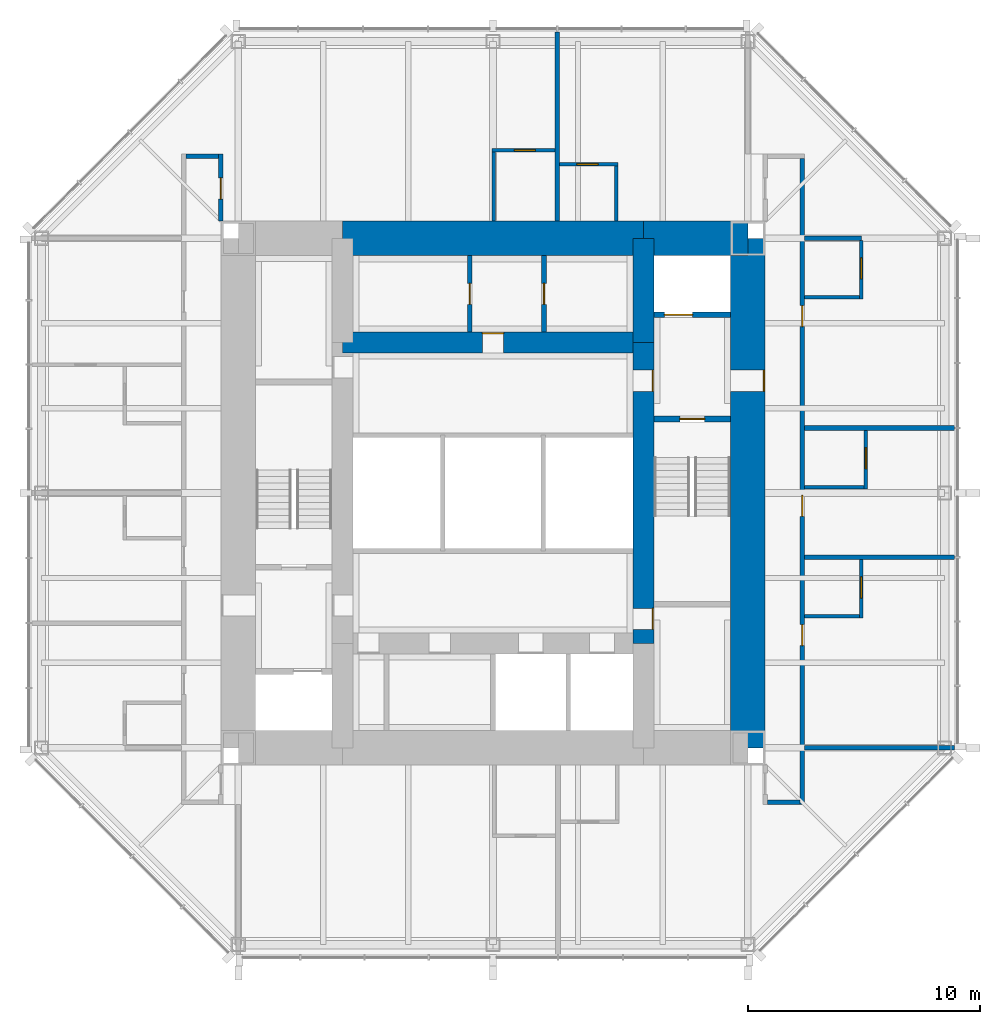
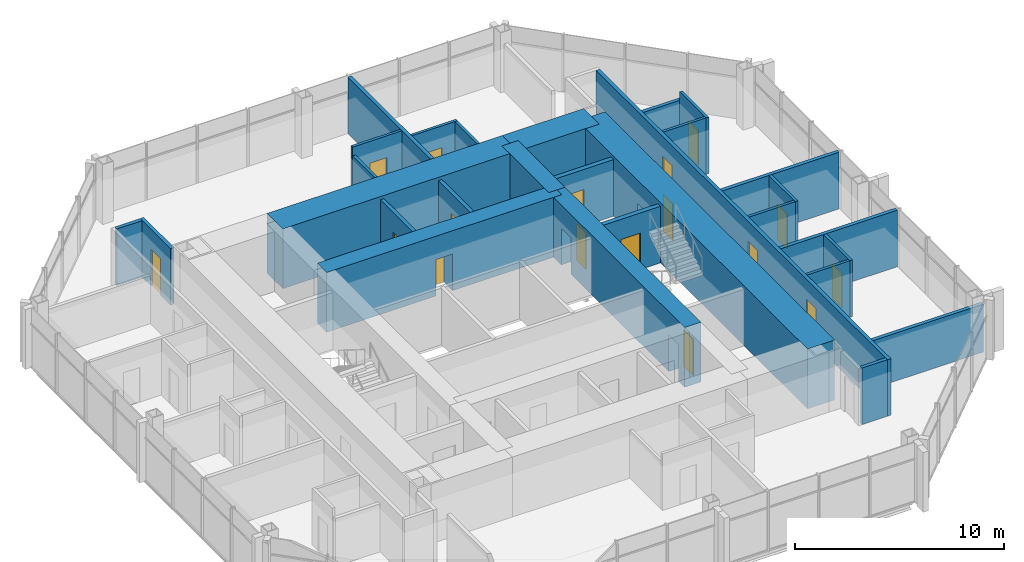
# One storey, part 9 of 11: 29 walls, 17 doors, 17 openings.
"""IFC4 building model written with IfcOpenShell, lengths in metres."""

from ifc_helpers import new_model, si_unit, direction, frame, frame_2d, origin, place, context, subcontext, project, spatial, rectangle, extrude, material, layer, layer_set, type_object, element, fill, save


model = new_model("IFC4")

# Units and contexts
model_context = context("Model", 3, precision=1e-05, world=origin(), true_north=direction((0.0, 1.0)))
body_context = subcontext(model_context, "Body", "Model", "MODEL_VIEW")
ifc_project = project(units=[si_unit("LENGTHUNIT", "METRE"), si_unit("AREAUNIT", "SQUARE_METRE"), si_unit("VOLUMEUNIT", "CUBIC_METRE"), si_unit("PLANEANGLEUNIT", "RADIAN"), si_unit("MASSUNIT", "GRAM", prefix="KILO")], contexts=[model_context])

# Site, building, storey
site_placement = place(None, origin())
site = spatial("IfcSite", under=ifc_project, at=site_placement, CompositionType="ELEMENT")
building_placement = place(site_placement, origin())
building = spatial("IfcBuilding", under=site, at=building_placement, Name="Trevanion Tower", CompositionType="ELEMENT")
storey_placement = place(building_placement, frame((0.0, 0.0, 243.199951171875)))
storey = spatial("IfcBuildingStorey", under=building, at=storey_placement, Name="L59", CompositionType="ELEMENT", Elevation=243.199951171875)

# Wall, opening, door
ifc_material_1 = material(Name="Concrete 10,000 psi", Category="concrete")
ifc_layer_1 = layer(ifc_material_1, 1.5)
ifc_layer_set_1 = layer_set([ifc_layer_1], Name="CW1 core wall 1500")
wall_type_1 = type_object("IfcWallType", Name="CW1 core wall 1500", PredefinedType="SHEAR", material=ifc_layer_set_1)
wall_1_placement = place(storey_placement, frame((11.0, -11.0, 0.0), z_axis=(0.0, 0.0, 1.0), x_axis=(0.0, 1.0, 0.0)))
wall_1 = element("IfcWall", 1, at=wall_1_placement, inside=storey, type_object=wall_type_1, Name="CW1 CE L59", PredefinedType="SHEAR", context=body_context, shape_type="SweptSolid", body=[
    extrude(rectangle(XDim=22.0, YDim=1.5, at=frame_2d((11.0, 0.0))), origin(), (0.0, 0.0, 1.0), 3.5),
])
opening_1_placement = place(wall_1_placement, frame((15.392578125, 0.0, 0.0)))
opening_1 = element("IfcOpeningElement", 2, at=opening_1_placement, cuts=wall_1, Name="Opening 59-001", PredefinedType="OPENING", context=body_context, shape_type="SweptSolid", body=[
    extrude(rectangle(XDim=0.9150390625, YDim=2.134033203125, at=frame_2d((0.45751953125, 1.06689453125))), frame((0.0, 0.760009765625, 0.0), z_axis=(0.0, -1.0, 0.0), x_axis=(1.0, 0.0, 0.0)), (0.0, 0.0, 1.0), 1.52001953125),
])
ifc_material_2 = material(Name="Hollow metal, fire rated", Category="steel")
door_type_1 = type_object("IfcDoorType", Name="D3 fire lift lobby door", OperationType="SINGLE_SWING_RIGHT", PredefinedType="DOOR", material=ifc_material_2)
door_1_placement = place(opening_1_placement, origin())
door_1 = element("IfcDoor", 3, at=door_1_placement, inside=storey, type_object=door_type_1, Name="Door 59-001", OperationType="SINGLE_SWING_RIGHT", OverallHeight=2.134033203125, OverallWidth=0.9150390625, PredefinedType="DOOR", context=body_context, shape_type="SweptSolid", body=[
    extrude(rectangle(XDim=0.9150390625, YDim=2.134033203125, at=frame_2d((0.45751953125, 1.06689453125))), frame((0.0, -0.6748046875, 0.0), z_axis=(0.0, -1.0, 0.0), x_axis=(1.0, 0.0, 0.0)), (0.0, 0.0, 1.0), 0.050048828125),
])
fill(opening_1, door_1)

# Walls
wall_2_placement = place(storey_placement, frame((11.0, 11.0, 0.0), z_axis=(0.0, 0.0, 1.0), x_axis=(-1.0, 0.0, 0.0)))
element("IfcWall", 4, at=wall_2_placement, inside=storey, type_object=wall_type_1, Name="CW1 CN1 L59", PredefinedType="SHEAR", context=body_context, shape_type="SweptSolid", body=[
    extrude(rectangle(XDim=4.5, YDim=1.5, at=frame_2d((2.25, 0.0))), origin(), (0.0, 0.0, 1.0), 3.5),
])
wall_3_placement = place(storey_placement, frame((6.5, 11.0, 0.0), z_axis=(0.0, 0.0, 1.0), x_axis=(-1.0, 0.0, 0.0)))
element("IfcWall", 5, at=wall_3_placement, inside=storey, type_object=wall_type_1, Name="CW1 CN2 L59", PredefinedType="SHEAR", context=body_context, shape_type="SweptSolid", body=[
    extrude(rectangle(XDim=13.0, YDim=1.5, at=frame_2d((6.5, 0.0))), origin(), (0.0, 0.0, 1.0), 3.5),
])

# Wall, openings, doors
ifc_material_3 = material(Name="Concrete 10,000 psi", Category="concrete")
ifc_layer_2 = layer(ifc_material_3, 0.89990234375)
ifc_layer_set_2 = layer_set([ifc_layer_2], Name="CW2 core wall 900")
wall_type_2 = type_object("IfcWallType", Name="CW2 core wall 900", PredefinedType="SHEAR", material=ifc_layer_set_2)
wall_4_placement = place(storey_placement, frame((6.5, -6.5, 0.0), z_axis=(0.0, 0.0, 1.0), x_axis=(0.0, 1.0, 0.0)))
wall_4 = element("IfcWall", 6, at=wall_4_placement, inside=storey, type_object=wall_type_2, Name="CW2 RE2 L59", PredefinedType="SHEAR", context=body_context, shape_type="SweptSolid", body=[
    extrude(rectangle(XDim=13.0, YDim=0.89990234375, at=frame_2d((6.5, 0.0))), origin(), (0.0, 0.0, 1.0), 3.5),
])
opening_2_placement = place(wall_4_placement, frame((10.892578125, 0.0, 0.0)))
opening_2 = element("IfcOpeningElement", 7, at=opening_2_placement, cuts=wall_4, Name="Opening 59-003", PredefinedType="OPENING", context=body_context, shape_type="SweptSolid", body=[
    extrude(rectangle(XDim=0.9150390625, YDim=2.134033203125, at=frame_2d((0.45751953125, 1.06689453125))), frame((0.0, 0.4599609375, 0.0), z_axis=(0.0, -1.0, 0.0), x_axis=(1.0, 0.0, 0.0)), (0.0, 0.0, 1.0), 0.919921875),
])
opening_3_placement = place(wall_4_placement, frame((0.610107421875, 0.0, 0.0)))
opening_3 = element("IfcOpeningElement", 8, at=opening_3_placement, cuts=wall_4, Name="Opening 59-009", PredefinedType="OPENING", context=body_context, shape_type="SweptSolid", body=[
    extrude(rectangle(XDim=0.9150390625, YDim=2.134033203125, at=frame_2d((0.45751953125, 1.06689453125))), frame((0.0, 0.4599609375, 0.0), z_axis=(0.0, -1.0, 0.0), x_axis=(1.0, 0.0, 0.0)), (0.0, 0.0, 1.0), 0.919921875),
])
door_2_placement = place(opening_2_placement, origin())
door_2 = element("IfcDoor", 9, at=door_2_placement, inside=storey, type_object=door_type_1, Name="Door 59-003", OperationType="SINGLE_SWING_RIGHT", OverallHeight=2.134033203125, OverallWidth=0.9150390625, PredefinedType="DOOR", context=body_context, shape_type="SweptSolid", body=[
    extrude(rectangle(XDim=0.9150390625, YDim=2.134033203125, at=frame_2d((0.45751953125, 1.06689453125))), frame((0.0, -0.375, 0.0), z_axis=(0.0, -1.0, 0.0), x_axis=(1.0, 0.0, 0.0)), (0.0, 0.0, 1.0), 0.050048828125),
])
fill(opening_2, door_2)
ifc_material_4 = material(Name="Hollow metal, fire rated", Category="steel")
door_type_2 = type_object("IfcDoorType", Name="D5 service room door", OperationType="SINGLE_SWING_RIGHT", PredefinedType="DOOR", material=ifc_material_4)
door_3_placement = place(opening_3_placement, origin())
door_3 = element("IfcDoor", 10, at=door_3_placement, inside=storey, type_object=door_type_2, Name="Door 59-009", OperationType="SINGLE_SWING_RIGHT", OverallHeight=2.134033203125, OverallWidth=0.9150390625, PredefinedType="DOOR", context=body_context, shape_type="SweptSolid", body=[
    extrude(rectangle(XDim=0.9150390625, YDim=2.134033203125, at=frame_2d((0.45751953125, 1.06689453125))), frame((0.0, -0.375, 0.0), z_axis=(0.0, -1.0, 0.0), x_axis=(1.0, 0.0, 0.0)), (0.0, 0.0, 1.0), 0.050048828125),
])
fill(opening_3, door_3)

# Wall
wall_5_placement = place(storey_placement, frame((6.5, 6.5, 0.0), z_axis=(0.0, 0.0, 1.0), x_axis=(0.0, 1.0, 0.0)))
element("IfcWall", 11, at=wall_5_placement, inside=storey, type_object=wall_type_2, Name="CW2 RE3 L59", PredefinedType="SHEAR", context=body_context, shape_type="SweptSolid", body=[
    extrude(rectangle(XDim=4.5, YDim=0.89990234375, at=frame_2d((2.25, 0.0))), origin(), (0.0, 0.0, 1.0), 3.5),
])

# Wall, opening, door
wall_6_placement = place(storey_placement, frame((6.5, 6.5, 0.0), z_axis=(0.0, 0.0, 1.0), x_axis=(-1.0, 0.0, 0.0)))
wall_6 = element("IfcWall", 12, at=wall_6_placement, inside=storey, type_object=wall_type_2, Name="CW2 RN L59", PredefinedType="SHEAR", context=body_context, shape_type="SweptSolid", body=[
    extrude(rectangle(XDim=13.0, YDim=0.89990234375, at=frame_2d((6.5, 0.0))), origin(), (0.0, 0.0, 1.0), 3.5),
])
opening_4_placement = place(wall_6_placement, frame((6.04248046875, 0.0, 0.0)))
opening_4 = element("IfcOpeningElement", 13, at=opening_4_placement, cuts=wall_6, Name="Opening 59-015", PredefinedType="OPENING", context=body_context, shape_type="SweptSolid", body=[
    extrude(rectangle(XDim=0.9150390625, YDim=2.134033203125, at=frame_2d((0.45751953125, 1.06689453125))), frame((0.0, 0.4599609375, 0.0), z_axis=(0.0, -1.0, 0.0), x_axis=(1.0, 0.0, 0.0)), (0.0, 0.0, 1.0), 0.919921875),
])
door_4_placement = place(opening_4_placement, origin())
door_4 = element("IfcDoor", 14, at=door_4_placement, inside=storey, type_object=door_type_2, Name="Door 59-015", OperationType="SINGLE_SWING_RIGHT", OverallHeight=2.134033203125, OverallWidth=0.9150390625, PredefinedType="DOOR", context=body_context, shape_type="SweptSolid", body=[
    extrude(rectangle(XDim=0.9150390625, YDim=2.134033203125, at=frame_2d((0.45751953125, 1.06689453125))), frame((0.0, -0.375, 0.0), z_axis=(0.0, -1.0, 0.0), x_axis=(1.0, 0.0, 0.0)), (0.0, 0.0, 1.0), 0.050048828125),
])
fill(opening_4, door_4)

ifc_material_5 = material(Name="Gypsum board on steel studs", Category="steel")
ifc_layer_3 = layer(ifc_material_5, 0.14990234375)
ifc_layer_set_3 = layer_set([ifc_layer_3], Name="PT1 partition 150")
wall_type_3 = type_object("IfcWallType", Name="PT1 partition 150", PredefinedType="PARTITIONING", material=ifc_layer_set_3)
wall_7_placement = place(storey_placement, frame((15.89990234375, -5.39990234375, 0.0), z_axis=(0.0, 0.0, 1.0), x_axis=(0.0, 1.0, 0.0)))
wall_7 = element("IfcWall", 15, at=wall_7_placement, inside=storey, type_object=wall_type_3, Name="PT1 L59 BA00", PredefinedType="PARTITIONING", context=body_context, shape_type="SweptSolid", body=[
    extrude(rectangle(XDim=2.52490234375, YDim=0.14990234375, at=frame_2d((1.262451171875, 0.0))), origin(), (0.0, 0.0, 1.0), 3.31005859375),
])
opening_5_placement = place(wall_7_placement, frame((0.867431640625, 0.0, 0.0)))
opening_5 = element("IfcOpeningElement", 16, at=opening_5_placement, cuts=wall_7, Name="Opening 59-018", PredefinedType="OPENING", context=body_context, shape_type="SweptSolid", body=[
    extrude(rectangle(XDim=0.9150390625, YDim=2.031982421875, at=frame_2d((0.45751953125, 1.01611328125))), frame((0.0, 0.0849609375, 0.0), z_axis=(0.0, -1.0, 0.0), x_axis=(1.0, 0.0, 0.0)), (0.0, 0.0, 1.0), 0.169921875),
])
ifc_material_6 = material(Name="Timber veneer", Category="wood")
door_type_3 = type_object("IfcDoorType", Name="D7 bathroom door", OperationType="SINGLE_SWING_LEFT", PredefinedType="DOOR", material=ifc_material_6)
door_5_placement = place(opening_5_placement, origin())
door_5 = element("IfcDoor", 17, at=door_5_placement, inside=storey, type_object=door_type_3, Name="Door 59-018", OperationType="SINGLE_SWING_LEFT", OverallHeight=2.031982421875, OverallWidth=0.9150390625, PredefinedType="DOOR", context=body_context, shape_type="SweptSolid", body=[
    extrude(rectangle(XDim=0.9150390625, YDim=2.031982421875, at=frame_2d((0.45751953125, 1.01611328125))), frame((0.0, 0.02490234375, 0.0), z_axis=(0.0, -1.0, 0.0), x_axis=(1.0, 0.0, 0.0)), (0.0, 0.0, 1.0), 0.050048828125),
])
fill(opening_5, door_5)

# Wall
wall_8_placement = place(storey_placement, frame((13.449951171875, -5.324951171875, 0.0), z_axis=(0.0, 0.0, 1.0), x_axis=(1.0, 0.0, 0.0)))
element("IfcWall", 18, at=wall_8_placement, inside=storey, type_object=wall_type_3, Name="PT1 L59 BB00", PredefinedType="PARTITIONING", context=body_context, shape_type="SweptSolid", body=[
    extrude(rectangle(XDim=2.375, YDim=0.14990234375, at=frame_2d((1.1875, 0.0))), origin(), (0.0, 0.0, 1.0), 3.31005859375),
])

# Wall, opening, door
wall_9_placement = place(storey_placement, frame((16.10009765625, 0.181884765625, 0.0), z_axis=(0.0, 0.0, 1.0), x_axis=(0.0, 1.0, 0.0)))
wall_9 = element("IfcWall", 19, at=wall_9_placement, inside=storey, type_object=wall_type_3, Name="PT1 L59 BA01", PredefinedType="PARTITIONING", context=body_context, shape_type="SweptSolid", body=[
    extrude(rectangle(XDim=2.525146484375, YDim=0.14990234375, at=frame_2d((1.2626953125, 0.0))), origin(), (0.0, 0.0, 1.0), 3.31005859375),
])
opening_6_placement = place(wall_9_placement, frame((0.867431640625, 0.0, 0.0)))
opening_6 = element("IfcOpeningElement", 20, at=opening_6_placement, cuts=wall_9, Name="Opening 59-020", PredefinedType="OPENING", context=body_context, shape_type="SweptSolid", body=[
    extrude(rectangle(XDim=0.9150390625, YDim=2.031982421875, at=frame_2d((0.45751953125, 1.01611328125))), frame((0.0, 0.0849609375, 0.0), z_axis=(0.0, -1.0, 0.0), x_axis=(1.0, 0.0, 0.0)), (0.0, 0.0, 1.0), 0.169921875),
])
door_6_placement = place(opening_6_placement, origin())
door_6 = element("IfcDoor", 21, at=door_6_placement, inside=storey, type_object=door_type_3, Name="Door 59-020", OperationType="SINGLE_SWING_LEFT", OverallHeight=2.031982421875, OverallWidth=0.9150390625, PredefinedType="DOOR", context=body_context, shape_type="SweptSolid", body=[
    extrude(rectangle(XDim=0.9150390625, YDim=2.031982421875, at=frame_2d((0.45751953125, 1.01611328125))), frame((0.0, 0.02490234375, 0.0), z_axis=(0.0, -1.0, 0.0), x_axis=(1.0, 0.0, 0.0)), (0.0, 0.0, 1.0), 0.050048828125),
])
fill(opening_6, door_6)

# Wall
wall_10_placement = place(storey_placement, frame((13.449951171875, 0.257080078125, 0.0), z_axis=(0.0, 0.0, 1.0), x_axis=(1.0, 0.0, 0.0)))
element("IfcWall", 22, at=wall_10_placement, inside=storey, type_object=wall_type_3, Name="PT1 L59 BB01", PredefinedType="PARTITIONING", context=body_context, shape_type="SweptSolid", body=[
    extrude(rectangle(XDim=2.574951171875, YDim=0.14990234375, at=frame_2d((1.28759765625, 0.0))), origin(), (0.0, 0.0, 1.0), 3.31005859375),
])

# Wall, opening, door
wall_11_placement = place(storey_placement, frame((15.89990234375, 8.375, 0.0), z_axis=(0.0, 0.0, 1.0), x_axis=(0.0, 1.0, 0.0)))
wall_11 = element("IfcWall", 23, at=wall_11_placement, inside=storey, type_object=wall_type_3, Name="PT1 L59 BA02", PredefinedType="PARTITIONING", context=body_context, shape_type="SweptSolid", body=[
    extrude(rectangle(XDim=2.52490234375, YDim=0.14990234375, at=frame_2d((1.262451171875, 0.0))), origin(), (0.0, 0.0, 1.0), 3.31005859375),
])
opening_7_placement = place(wall_11_placement, frame((0.867431640625, 0.0, 0.0)))
opening_7 = element("IfcOpeningElement", 24, at=opening_7_placement, cuts=wall_11, Name="Opening 59-022", PredefinedType="OPENING", context=body_context, shape_type="SweptSolid", body=[
    extrude(rectangle(XDim=0.9150390625, YDim=2.031982421875, at=frame_2d((0.45751953125, 1.01611328125))), frame((0.0, 0.0849609375, 0.0), z_axis=(0.0, -1.0, 0.0), x_axis=(1.0, 0.0, 0.0)), (0.0, 0.0, 1.0), 0.169921875),
])
door_7_placement = place(opening_7_placement, origin())
door_7 = element("IfcDoor", 25, at=door_7_placement, inside=storey, type_object=door_type_3, Name="Door 59-022", OperationType="SINGLE_SWING_LEFT", OverallHeight=2.031982421875, OverallWidth=0.9150390625, PredefinedType="DOOR", context=body_context, shape_type="SweptSolid", body=[
    extrude(rectangle(XDim=0.9150390625, YDim=2.031982421875, at=frame_2d((0.45751953125, 1.01611328125))), frame((0.0, 0.02490234375, 0.0), z_axis=(0.0, -1.0, 0.0), x_axis=(1.0, 0.0, 0.0)), (0.0, 0.0, 1.0), 0.050048828125),
])
fill(opening_7, door_7)

# Wall
wall_12_placement = place(storey_placement, frame((13.449951171875, 8.449951171875, 0.0), z_axis=(0.0, 0.0, 1.0), x_axis=(1.0, 0.0, 0.0)))
element("IfcWall", 26, at=wall_12_placement, inside=storey, type_object=wall_type_3, Name="PT1 L59 BB02", PredefinedType="PARTITIONING", context=body_context, shape_type="SweptSolid", body=[
    extrude(rectangle(XDim=2.375, YDim=0.14990234375, at=frame_2d((1.1875, 0.0))), origin(), (0.0, 0.0, 1.0), 3.31005859375),
])

# Wall, opening, door
wall_13_placement = place(storey_placement, frame((5.39990234375, 14.199951171875, 0.0), z_axis=(0.0, 0.0, 1.0), x_axis=(-1.0, 0.0, 0.0)))
wall_13 = element("IfcWall", 27, at=wall_13_placement, inside=storey, type_object=wall_type_3, Name="PT1 L59 BA10", PredefinedType="PARTITIONING", context=body_context, shape_type="SweptSolid", body=[
    extrude(rectangle(XDim=2.52490234375, YDim=0.14990234375, at=frame_2d((1.262451171875, 0.0))), origin(), (0.0, 0.0, 1.0), 3.31005859375),
])
opening_8_placement = place(wall_13_placement, frame((0.867431640625, 0.0, 0.0)))
opening_8 = element("IfcOpeningElement", 28, at=opening_8_placement, cuts=wall_13, Name="Opening 59-026", PredefinedType="OPENING", context=body_context, shape_type="SweptSolid", body=[
    extrude(rectangle(XDim=0.9150390625, YDim=2.031982421875, at=frame_2d((0.45751953125, 1.01611328125))), frame((0.0, 0.0849609375, 0.0), z_axis=(0.0, -1.0, 0.0), x_axis=(1.0, 0.0, 0.0)), (0.0, 0.0, 1.0), 0.169921875),
])
door_8_placement = place(opening_8_placement, origin())
door_8 = element("IfcDoor", 29, at=door_8_placement, inside=storey, type_object=door_type_3, Name="Door 59-026", OperationType="SINGLE_SWING_LEFT", OverallHeight=2.031982421875, OverallWidth=0.9150390625, PredefinedType="DOOR", context=body_context, shape_type="SweptSolid", body=[
    extrude(rectangle(XDim=0.9150390625, YDim=2.031982421875, at=frame_2d((0.45751953125, 1.01611328125))), frame((0.0, 0.02490234375, 0.0), z_axis=(0.0, -1.0, 0.0), x_axis=(1.0, 0.0, 0.0)), (0.0, 0.0, 1.0), 0.050048828125),
])
fill(opening_8, door_8)

# Wall
wall_14_placement = place(storey_placement, frame((5.324951171875, 11.75, 0.0), z_axis=(0.0, 0.0, 1.0), x_axis=(0.0, 1.0, 0.0)))
element("IfcWall", 30, at=wall_14_placement, inside=storey, type_object=wall_type_3, Name="PT1 L59 BB10", PredefinedType="PARTITIONING", context=body_context, shape_type="SweptSolid", body=[
    extrude(rectangle(XDim=2.375, YDim=0.14990234375, at=frame_2d((1.1875, 0.0))), origin(), (0.0, 0.0, 1.0), 3.31005859375),
])

# Wall, opening, door
wall_15_placement = place(storey_placement, frame((2.675048828125, 14.800048828125, 0.0), z_axis=(0.0, 0.0, 1.0), x_axis=(-1.0, 0.0, 0.0)))
wall_15 = element("IfcWall", 31, at=wall_15_placement, inside=storey, type_object=wall_type_3, Name="PT1 L59 BA11", PredefinedType="PARTITIONING", context=body_context, shape_type="SweptSolid", body=[
    extrude(rectangle(XDim=2.72509765625, YDim=0.14990234375, at=frame_2d((1.362548828125, 0.0))), origin(), (0.0, 0.0, 1.0), 3.31005859375),
])
opening_9_placement = place(wall_15_placement, frame((0.842529296875, 0.0, 0.0)))
opening_9 = element("IfcOpeningElement", 32, at=opening_9_placement, cuts=wall_15, Name="Opening 59-027", PredefinedType="OPENING", context=body_context, shape_type="SweptSolid", body=[
    extrude(rectangle(XDim=0.9150390625, YDim=2.031982421875, at=frame_2d((0.45751953125, 1.01611328125))), frame((0.0, 0.0849609375, 0.0), z_axis=(0.0, -1.0, 0.0), x_axis=(1.0, 0.0, 0.0)), (0.0, 0.0, 1.0), 0.169921875),
])
door_9_placement = place(opening_9_placement, origin())
door_9 = element("IfcDoor", 33, at=door_9_placement, inside=storey, type_object=door_type_3, Name="Door 59-027", OperationType="SINGLE_SWING_LEFT", OverallHeight=2.031982421875, OverallWidth=0.9150390625, PredefinedType="DOOR", context=body_context, shape_type="SweptSolid", body=[
    extrude(rectangle(XDim=0.9150390625, YDim=2.031982421875, at=frame_2d((0.45751953125, 1.01611328125))), frame((0.0, 0.02490234375, 0.0), z_axis=(0.0, -1.0, 0.0), x_axis=(1.0, 0.0, 0.0)), (0.0, 0.0, 1.0), 0.050048828125),
])
fill(opening_9, door_9)

# Wall
wall_16_placement = place(storey_placement, frame((0.02490234375, 11.75, 0.0), z_axis=(0.0, 0.0, 1.0), x_axis=(0.0, 1.0, 0.0)))
element("IfcWall", 34, at=wall_16_placement, inside=storey, type_object=wall_type_3, Name="PT1 L59 BB11", PredefinedType="PARTITIONING", context=body_context, shape_type="SweptSolid", body=[
    extrude(rectangle(XDim=2.97509765625, YDim=0.14990234375, at=frame_2d((1.487548828125, 0.0))), origin(), (0.0, 0.0, 1.0), 2.802001953125),
])

# Wall, opening, door
ifc_material_7 = material(Name="Concrete masonry, grouted", Category="masonry")
ifc_layer_4 = layer(ifc_material_7, 0.199951171875)
ifc_layer_set_4 = layer_set([ifc_layer_4], Name="PT2 partition 200 1 HR")
wall_type_4 = type_object("IfcWallType", Name="PT2 partition 200 1 HR", PredefinedType="PARTITIONING", material=ifc_layer_set_4)
wall_17_placement = place(storey_placement, frame((-1.0, 6.949951171875, 0.0), z_axis=(0.0, 0.0, 1.0), x_axis=(0.0, 1.0, 0.0)))
wall_17 = element("IfcWall", 35, at=wall_17_placement, inside=storey, type_object=wall_type_4, Name="PT2 L59 HKP1", PredefinedType="PARTITIONING", context=body_context, shape_type="SweptSolid", body=[
    extrude(rectangle(XDim=3.300048828125, YDim=0.199951171875, at=frame_2d((1.64990234375, 0.0))), origin(), (0.0, 0.0, 1.0), 3.31005859375),
])
opening_10_placement = place(wall_17_placement, frame((1.1923828125, 0.0, 0.0)))
opening_10 = element("IfcOpeningElement", 36, at=opening_10_placement, cuts=wall_17, Name="Opening 59-016", PredefinedType="OPENING", context=body_context, shape_type="SweptSolid", body=[
    extrude(rectangle(XDim=0.9150390625, YDim=2.134033203125, at=frame_2d((0.45751953125, 1.06689453125))), frame((0.0, 0.10986328125, 0.0), z_axis=(0.0, -1.0, 0.0), x_axis=(1.0, 0.0, 0.0)), (0.0, 0.0, 1.0), 0.219970703125),
])
door_10_placement = place(opening_10_placement, origin())
door_10 = element("IfcDoor", 37, at=door_10_placement, inside=storey, type_object=door_type_2, Name="Door 59-016", OperationType="SINGLE_SWING_RIGHT", OverallHeight=2.134033203125, OverallWidth=0.9150390625, PredefinedType="DOOR", context=body_context, shape_type="SweptSolid", body=[
    extrude(rectangle(XDim=0.9150390625, YDim=2.134033203125, at=frame_2d((0.45751953125, 1.06689453125))), frame((0.0, 0.02490234375, 0.0), z_axis=(0.0, -1.0, 0.0), x_axis=(1.0, 0.0, 0.0)), (0.0, 0.0, 1.0), 0.050048828125),
])
fill(opening_10, door_10)

wall_18_placement = place(storey_placement, frame((2.199951171875, 6.949951171875, 0.0), z_axis=(0.0, 0.0, 1.0), x_axis=(0.0, 1.0, 0.0)))
wall_18 = element("IfcWall", 38, at=wall_18_placement, inside=storey, type_object=wall_type_4, Name="PT2 L59 HKP2", PredefinedType="PARTITIONING", context=body_context, shape_type="SweptSolid", body=[
    extrude(rectangle(XDim=3.300048828125, YDim=0.199951171875, at=frame_2d((1.64990234375, 0.0))), origin(), (0.0, 0.0, 1.0), 3.31005859375),
])
opening_11_placement = place(wall_18_placement, frame((1.1923828125, 0.0, 0.0)))
opening_11 = element("IfcOpeningElement", 39, at=opening_11_placement, cuts=wall_18, Name="Opening 59-017", PredefinedType="OPENING", context=body_context, shape_type="SweptSolid", body=[
    extrude(rectangle(XDim=0.9150390625, YDim=2.134033203125, at=frame_2d((0.45751953125, 1.06689453125))), frame((0.0, 0.10986328125, 0.0), z_axis=(0.0, -1.0, 0.0), x_axis=(1.0, 0.0, 0.0)), (0.0, 0.0, 1.0), 0.219970703125),
])
door_11_placement = place(opening_11_placement, origin())
door_11 = element("IfcDoor", 40, at=door_11_placement, inside=storey, type_object=door_type_2, Name="Door 59-017", OperationType="SINGLE_SWING_RIGHT", OverallHeight=2.134033203125, OverallWidth=0.9150390625, PredefinedType="DOOR", context=body_context, shape_type="SweptSolid", body=[
    extrude(rectangle(XDim=0.9150390625, YDim=2.134033203125, at=frame_2d((0.45751953125, 1.06689453125))), frame((0.0, 0.02490234375, 0.0), z_axis=(0.0, -1.0, 0.0), x_axis=(1.0, 0.0, 0.0)), (0.0, 0.0, 1.0), 0.050048828125),
])
fill(opening_11, door_11)

wall_19_placement = place(storey_placement, frame((-11.75, 11.75, 0.0), z_axis=(0.0, 0.0, 1.0), x_axis=(0.0, 1.0, 0.0)))
wall_19 = element("IfcWall", 41, at=wall_19_placement, inside=storey, type_object=wall_type_4, Name="PT2 L59 HO1b", PredefinedType="PARTITIONING", context=body_context, shape_type="SweptSolid", body=[
    extrude(rectangle(XDim=2.89990234375, YDim=0.199951171875, at=frame_2d((1.449951171875, 0.0))), origin(), (0.0, 0.0, 1.0), 3.31005859375),
])
opening_12_placement = place(wall_19_placement, frame((0.9423828125, 0.0, 0.0)))
opening_12 = element("IfcOpeningElement", 42, at=opening_12_placement, cuts=wall_19, Name="Opening 59-025", PredefinedType="OPENING", context=body_context, shape_type="SweptSolid", body=[
    extrude(rectangle(XDim=0.9150390625, YDim=2.134033203125, at=frame_2d((0.45751953125, 1.06689453125))), frame((0.0, 0.10986328125, 0.0), z_axis=(0.0, -1.0, 0.0), x_axis=(1.0, 0.0, 0.0)), (0.0, 0.0, 1.0), 0.219970703125),
])
ifc_material_8 = material(Name="Timber veneer, fire rated", Category="wood")
door_type_4 = type_object("IfcDoorType", Name="D6 guest room entrance door", OperationType="SINGLE_SWING_LEFT", PredefinedType="DOOR", material=ifc_material_8)
door_12_placement = place(opening_12_placement, origin())
door_12 = element("IfcDoor", 43, at=door_12_placement, inside=storey, type_object=door_type_4, Name="Door 59-025", OperationType="SINGLE_SWING_LEFT", OverallHeight=2.134033203125, OverallWidth=0.9150390625, PredefinedType="DOOR", context=body_context, shape_type="SweptSolid", body=[
    extrude(rectangle(XDim=0.9150390625, YDim=2.134033203125, at=frame_2d((0.45751953125, 1.06689453125))), frame((0.0, 0.02490234375, 0.0), z_axis=(0.0, -1.0, 0.0), x_axis=(1.0, 0.0, 0.0)), (0.0, 0.0, 1.0), 0.050048828125),
])
fill(opening_12, door_12)

# Walls
for number, where, z_axis, x_axis, name in (
    (44, (-11.85009765625, 14.550048828125, 0.0), (0.0, 0.0, 1.0), (-1.0, 0.0, 0.0), "PT2 L59 HC1cb"),
    (45, (11.85009765625, -13.35009765625, 0.0), (0.0, 0.0, 1.0), (1.0, 0.0, 0.0), "PT2 L59 HC3cb"),
):
    element("IfcWall", number, at=place(storey_placement, frame(where, z_axis=z_axis, x_axis=x_axis)), inside=storey, type_object=wall_type_4, Name=name, PredefinedType="PARTITIONING", context=body_context, shape_type="SweptSolid", body=[
        extrude(rectangle(XDim=1.39990234375, YDim=0.199951171875, at=frame_2d((0.699951171875, 0.0))), origin(), (0.0, 0.0, 1.0), 3.31005859375),
    ])

# Wall, openings, doors
wall_20_placement = place(storey_placement, frame((13.35009765625, -13.449951171875, 0.0), z_axis=(0.0, 0.0, 1.0), x_axis=(0.0, 1.0, 0.0)))
wall_20 = element("IfcWall", 46, at=wall_20_placement, inside=storey, type_object=wall_type_4, Name="PT2 L59 HC0", PredefinedType="PARTITIONING", context=body_context, shape_type="SweptSolid", body=[
    extrude(rectangle(XDim=27.89990234375, YDim=0.199951171875, at=frame_2d((13.949951171875, 0.0))), origin(), (0.0, 0.0, 1.0), 3.31005859375),
])
opening_13_placement = place(wall_20_placement, frame((6.857421875, 0.0, 0.0)))
opening_13 = element("IfcOpeningElement", 47, at=opening_13_placement, cuts=wall_20, Name="Opening 59-019", PredefinedType="OPENING", context=body_context, shape_type="SweptSolid", body=[
    extrude(rectangle(XDim=0.9150390625, YDim=2.134033203125, at=frame_2d((0.45751953125, 1.06689453125))), frame((0.0, 0.10986328125, 0.0), z_axis=(0.0, -1.0, 0.0), x_axis=(1.0, 0.0, 0.0)), (0.0, 0.0, 1.0), 0.219970703125),
])
opening_14_placement = place(wall_20_placement, frame((12.439453125, 0.0, 0.0)))
opening_14 = element("IfcOpeningElement", 48, at=opening_14_placement, cuts=wall_20, Name="Opening 59-021", PredefinedType="OPENING", context=body_context, shape_type="SweptSolid", body=[
    extrude(rectangle(XDim=0.9150390625, YDim=2.134033203125, at=frame_2d((0.45751953125, 1.06689453125))), frame((0.0, 0.10986328125, 0.0), z_axis=(0.0, -1.0, 0.0), x_axis=(1.0, 0.0, 0.0)), (0.0, 0.0, 1.0), 0.219970703125),
])
opening_15_placement = place(wall_20_placement, frame((20.632568359375, 0.0, 0.0)))
opening_15 = element("IfcOpeningElement", 49, at=opening_15_placement, cuts=wall_20, Name="Opening 59-023", PredefinedType="OPENING", context=body_context, shape_type="SweptSolid", body=[
    extrude(rectangle(XDim=0.9150390625, YDim=2.134033203125, at=frame_2d((0.45751953125, 1.06689453125))), frame((0.0, 0.10986328125, 0.0), z_axis=(0.0, -1.0, 0.0), x_axis=(1.0, 0.0, 0.0)), (0.0, 0.0, 1.0), 0.219970703125),
])
door_13_placement = place(opening_13_placement, origin())
door_13 = element("IfcDoor", 50, at=door_13_placement, inside=storey, type_object=door_type_4, Name="Door 59-019", OperationType="SINGLE_SWING_LEFT", OverallHeight=2.134033203125, OverallWidth=0.9150390625, PredefinedType="DOOR", context=body_context, shape_type="SweptSolid", body=[
    extrude(rectangle(XDim=0.9150390625, YDim=2.134033203125, at=frame_2d((0.45751953125, 1.06689453125))), frame((0.0, 0.02490234375, 0.0), z_axis=(0.0, -1.0, 0.0), x_axis=(1.0, 0.0, 0.0)), (0.0, 0.0, 1.0), 0.050048828125),
])
fill(opening_13, door_13)
door_14_placement = place(opening_14_placement, origin())
door_14 = element("IfcDoor", 51, at=door_14_placement, inside=storey, type_object=door_type_4, Name="Door 59-021", OperationType="SINGLE_SWING_LEFT", OverallHeight=2.134033203125, OverallWidth=0.9150390625, PredefinedType="DOOR", context=body_context, shape_type="SweptSolid", body=[
    extrude(rectangle(XDim=0.9150390625, YDim=2.134033203125, at=frame_2d((0.45751953125, 1.06689453125))), frame((0.0, 0.02490234375, 0.0), z_axis=(0.0, -1.0, 0.0), x_axis=(1.0, 0.0, 0.0)), (0.0, 0.0, 1.0), 0.050048828125),
])
fill(opening_14, door_14)
door_15_placement = place(opening_15_placement, origin())
door_15 = element("IfcDoor", 52, at=door_15_placement, inside=storey, type_object=door_type_4, Name="Door 59-023", OperationType="SINGLE_SWING_LEFT", OverallHeight=2.134033203125, OverallWidth=0.9150390625, PredefinedType="DOOR", context=body_context, shape_type="SweptSolid", body=[
    extrude(rectangle(XDim=0.9150390625, YDim=2.134033203125, at=frame_2d((0.45751953125, 1.06689453125))), frame((0.0, 0.02490234375, 0.0), z_axis=(0.0, -1.0, 0.0), x_axis=(1.0, 0.0, 0.0)), (0.0, 0.0, 1.0), 0.050048828125),
])
fill(opening_15, door_15)

# Walls
wall_21_placement = place(storey_placement, frame((13.449951171875, -11.0, 0.0), z_axis=(0.0, 0.0, 1.0), x_axis=(1.0, 0.0, 0.0)))
element("IfcWall", 53, at=wall_21_placement, inside=storey, type_object=wall_type_4, Name="PT2 L59 HD00", PredefinedType="PARTITIONING", context=body_context, shape_type="SweptSolid", body=[
    extrude(rectangle(XDim=6.465087890625, YDim=0.199951171875, at=frame_2d((3.232421875, 0.0))), origin(), (0.0, 0.0, 1.0), 2.802001953125),
])
for number, where, z_axis, x_axis, name in (
    (54, (13.449951171875, -2.77490234375, 0.0), (0.0, 0.0, 1.0), (1.0, 0.0, 0.0), "PT2 L59 HD01"),
    (55, (13.449951171875, 2.806884765625, 0.0), (0.0, 0.0, 1.0), (1.0, 0.0, 0.0), "PT2 L59 HD02"),
):
    element("IfcWall", number, at=place(storey_placement, frame(where, z_axis=z_axis, x_axis=x_axis)), inside=storey, type_object=wall_type_4, Name=name, PredefinedType="PARTITIONING", context=body_context, shape_type="SweptSolid", body=[
        extrude(rectangle(XDim=6.465087890625, YDim=0.199951171875, at=frame_2d((3.232421875, 0.0))), origin(), (0.0, 0.0, 1.0), 3.31005859375),
    ])
wall_22_placement = place(storey_placement, frame((13.449951171875, 11.0, 0.0), z_axis=(0.0, 0.0, 1.0), x_axis=(1.0, 0.0, 0.0)))
element("IfcWall", 56, at=wall_22_placement, inside=storey, type_object=wall_type_4, Name="PT2 L59 BC02", PredefinedType="PARTITIONING", context=body_context, shape_type="SweptSolid", body=[
    extrude(rectangle(XDim=2.449951171875, YDim=0.199951171875, at=frame_2d((1.22509765625, 0.0))), origin(), (0.0, 0.0, 1.0), 2.802001953125),
])
wall_23_placement = place(storey_placement, frame((2.77490234375, 11.75, 0.0), z_axis=(0.0, 0.0, 1.0), x_axis=(0.0, 1.0, 0.0)))
element("IfcWall", 57, at=wall_23_placement, inside=storey, type_object=wall_type_4, Name="PT2 L59 HD11", PredefinedType="PARTITIONING", context=body_context, shape_type="SweptSolid", body=[
    extrude(rectangle(XDim=8.1650390625, YDim=0.199951171875, at=frame_2d((4.08251953125, 0.0))), origin(), (0.0, 0.0, 1.0), 3.31005859375),
])

# Wall, opening, door
ifc_material_9 = material(Name="Concrete masonry, grouted, two-hour", Category="masonry")
ifc_layer_5 = layer(ifc_material_9, 0.25)
ifc_layer_set_5 = layer_set([ifc_layer_5], Name="PT3 partition 250 2 HR")
wall_type_5 = type_object("IfcWallType", Name="PT3 partition 250 2 HR", PredefinedType="PARTITIONING", material=ifc_layer_set_5)
wall_24_placement = place(storey_placement, frame((6.949951171875, 7.699951171875, 0.0), z_axis=(0.0, 0.0, 1.0), x_axis=(1.0, 0.0, 0.0)))
wall_24 = element("IfcWall", 58, at=wall_24_placement, inside=storey, type_object=wall_type_5, Name="PT3 L59 EP3", PredefinedType="PARTITIONING", context=body_context, shape_type="SweptSolid", body=[
    extrude(rectangle(XDim=3.300048828125, YDim=0.25, at=frame_2d((1.64990234375, 0.0))), origin(), (0.0, 0.0, 1.0), 3.31005859375),
])
opening_16_placement = place(wall_24_placement, frame((0.449951171875, 0.0, 0.0)))
opening_16 = element("IfcOpeningElement", 59, at=opening_16_placement, cuts=wall_24, Name="Opening 59-007", PredefinedType="OPENING", context=body_context, shape_type="SweptSolid", body=[
    extrude(rectangle(XDim=1.218994140625, YDim=2.134033203125, at=frame_2d((0.609375, 1.06689453125))), frame((0.0, 0.135009765625, 0.0), z_axis=(0.0, -1.0, 0.0), x_axis=(1.0, 0.0, 0.0)), (0.0, 0.0, 1.0), 0.27001953125),
])
ifc_material_10 = material(Name="Stainless steel, fire rated", Category="steel")
door_type_5 = type_object("IfcDoorType", Name="LD2 fire service lift landing door", OperationType="SLIDING_TO_LEFT", PredefinedType="DOOR", material=ifc_material_10)
door_16_placement = place(opening_16_placement, origin())
door_16 = element("IfcDoor", 60, at=door_16_placement, inside=storey, type_object=door_type_5, Name="Door 59-007", OperationType="SLIDING_TO_LEFT", OverallHeight=2.134033203125, OverallWidth=1.218994140625, PredefinedType="DOOR", context=body_context, shape_type="SweptSolid", body=[
    extrude(rectangle(XDim=1.218994140625, YDim=2.134033203125, at=frame_2d((0.609375, 1.06689453125))), frame((0.0, 0.02490234375, 0.0), z_axis=(0.0, -1.0, 0.0), x_axis=(1.0, 0.0, 0.0)), (0.0, 0.0, 1.0), 0.050048828125),
])
fill(opening_16, door_16)

ifc_material_11 = material(Name="Reinforced masonry, fully grouted", Category="masonry")
ifc_layer_6 = layer(ifc_material_11, 0.25)
ifc_layer_set_6 = layer_set([ifc_layer_6], Name="SW1 stair shaft wall 250")
wall_type_6 = type_object("IfcWallType", Name="SW1 stair shaft wall 250", PredefinedType="SOLIDWALL", material=ifc_layer_set_6)
wall_25_placement = place(storey_placement, frame((6.949951171875, 3.199951171875, 0.0), z_axis=(0.0, 0.0, 1.0), x_axis=(1.0, 0.0, 0.0)))
wall_25 = element("IfcWall", 61, at=wall_25_placement, inside=storey, type_object=wall_type_6, Name="SW1 L59 EP2", PredefinedType="SOLIDWALL", context=body_context, shape_type="SweptSolid", body=[
    extrude(rectangle(XDim=3.300048828125, YDim=0.25, at=frame_2d((1.64990234375, 0.0))), origin(), (0.0, 0.0, 1.0), 3.31005859375),
])
opening_17_placement = place(wall_25_placement, frame((1.116455078125, 0.0, 0.0)))
opening_17 = element("IfcOpeningElement", 62, at=opening_17_placement, cuts=wall_25, Name="Opening 59-005", PredefinedType="OPENING", context=body_context, shape_type="SweptSolid", body=[
    extrude(rectangle(XDim=1.06689453125, YDim=2.134033203125, at=frame_2d((0.533447265625, 1.06689453125))), frame((0.0, 0.135009765625, 0.0), z_axis=(0.0, -1.0, 0.0), x_axis=(1.0, 0.0, 0.0)), (0.0, 0.0, 1.0), 0.27001953125),
])
ifc_material_12 = material(Name="Hollow metal, fire rated", Category="steel")
door_type_6 = type_object("IfcDoorType", Name="D2 exit stair door", OperationType="SINGLE_SWING_LEFT", PredefinedType="DOOR", material=ifc_material_12)
door_17_placement = place(opening_17_placement, origin())
door_17 = element("IfcDoor", 63, at=door_17_placement, inside=storey, type_object=door_type_6, Name="Door 59-005", OperationType="SINGLE_SWING_LEFT", OverallHeight=2.134033203125, OverallWidth=1.06689453125, PredefinedType="DOOR", context=body_context, shape_type="SweptSolid", body=[
    extrude(rectangle(XDim=1.06689453125, YDim=2.134033203125, at=frame_2d((0.533447265625, 1.06689453125))), frame((0.0, 0.02490234375, 0.0), z_axis=(0.0, -1.0, 0.0), x_axis=(1.0, 0.0, 0.0)), (0.0, 0.0, 1.0), 0.050048828125),
])
fill(opening_17, door_17)

save(model, "model.ifc")
